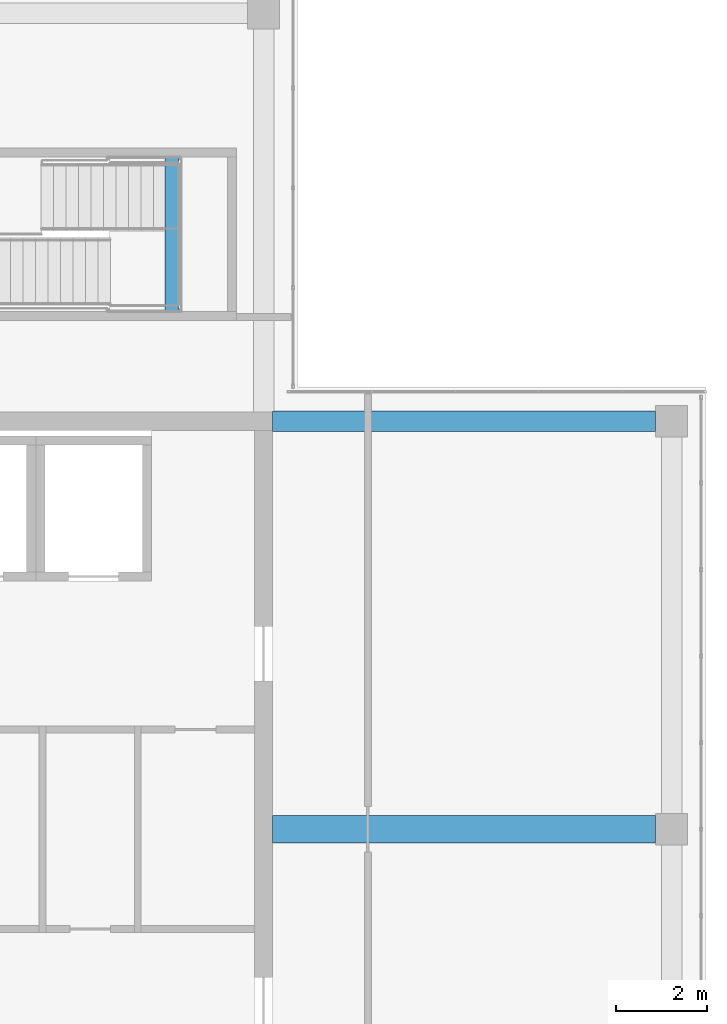
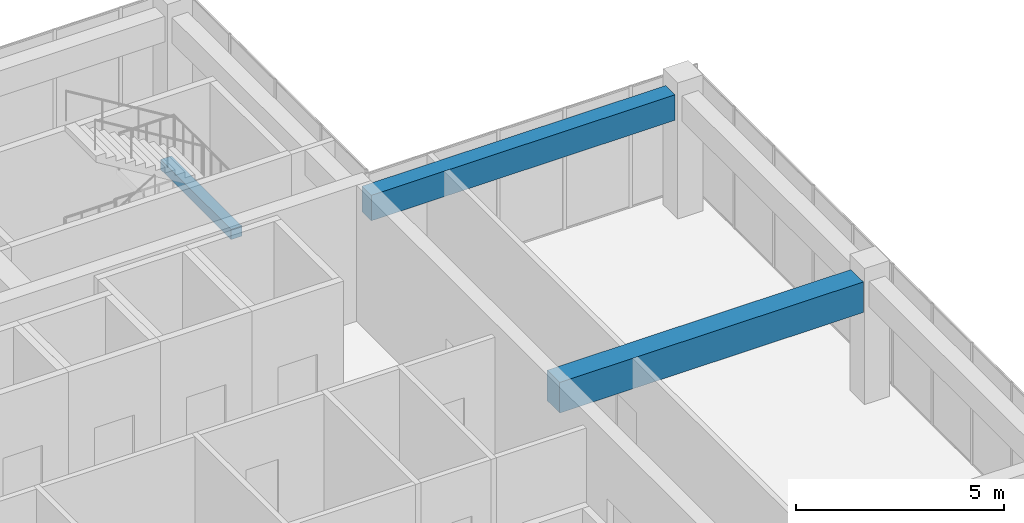
# One storey, part 15 of 32: 3 beams.
"""IFC4 building model written with IfcOpenShell, lengths in metres."""

from ifc_helpers import new_model, si_unit, direction, frame, origin, origin_2d, place, context, subcontext, project, spatial, rectangle, extrude, material, material_profile, profile_set, type_object, element, save


model = new_model("IFC4")

# Units and contexts
model_context = context("Model", 3, precision=1e-05, world=origin(), true_north=direction((0.0, 1.0)))
body_context = subcontext(model_context, "Body", "Model", "MODEL_VIEW")
ifc_project = project(units=[si_unit("LENGTHUNIT", "METRE"), si_unit("AREAUNIT", "SQUARE_METRE"), si_unit("VOLUMEUNIT", "CUBIC_METRE"), si_unit("PLANEANGLEUNIT", "RADIAN"), si_unit("MASSUNIT", "GRAM", prefix="KILO")], contexts=[model_context])

# Site, building, storey
site_placement = place(None, origin())
site = spatial("IfcSite", under=ifc_project, at=site_placement, CompositionType="ELEMENT")
building_placement = place(site_placement, origin())
building = spatial("IfcBuilding", under=site, at=building_placement, Name="Tuart Plaza Theatre", CompositionType="ELEMENT")
storey_placement = place(building_placement, frame((0.0, 0.0, 37.5)))
storey = spatial("IfcBuildingStorey", under=building, at=storey_placement, Name="L09", CompositionType="ELEMENT", Elevation=37.5)

# Beams
ifc_material_1 = material(Name="Concrete N40 (40 MPa)", Category="concrete")
ifc_material_profile_1 = material_profile(ifc_material_1, rectangle(XDim=0.300048828125, YDim=0.300048828125, at=origin_2d()), Name="BEAM 300x300 Concrete N40 (40 MPa)")
ifc_profile_set_1 = profile_set([ifc_material_profile_1], Name="Concrete N40 (40 MPa)")
beam_type_1 = type_object("IfcBeamType", Name="BEAM 300x300 Concrete N40 (40 MPa)", PredefinedType="BEAM", material=ifc_profile_set_1)
beam_1_placement = place(storey_placement, frame((138.97998046875, 85.425048828125, 1.64990234375), z_axis=(0.0, 1.0, 0.0), x_axis=(-1.0, 0.0, 0.0)))
element("IfcBeam", 1, at=beam_1_placement, inside=storey, type_object=beam_type_1, Name="RB521", PredefinedType="BEAM", context=body_context, shape_type="SweptSolid", body=[
    extrude(rectangle(XDim=0.300048828125, YDim=0.300048828125, at=origin_2d()), origin(), (0.0, 0.0, 1.0), 3.39990234375),
])
ifc_material_2 = material(Name="Concrete N40 (40 MPa)", Category="concrete")
ifc_material_profile_2 = material_profile(ifc_material_2, rectangle(XDim=0.449951171875, YDim=0.75, at=origin_2d()), Name="BEAM 450x750 Concrete N40 (40 MPa)")
ifc_profile_set_2 = profile_set([ifc_material_profile_2], Name="Concrete N40 (40 MPa)")
beam_type_2 = type_object("IfcBeamType", Name="BEAM 450x750 Concrete N40 (40 MPa)", PredefinedType="BEAM", material=ifc_profile_set_2)
beam_2_placement = place(storey_placement, frame((141.199951171875, 83.0, 3.205078125), z_axis=(1.0, 0.0, 0.0), x_axis=(0.0, 1.0, 0.0)))
element("IfcBeam", 2, at=beam_2_placement, inside=storey, type_object=beam_type_2, Name="RB276", PredefinedType="BEAM", context=body_context, shape_type="SweptSolid", body=[
    extrude(rectangle(XDim=0.449951171875, YDim=0.75, at=origin_2d()), origin(), (0.0, 0.0, 1.0), 8.449951171875),
])
ifc_material_3 = material(Name="Concrete N40 (40 MPa)", Category="concrete")
ifc_material_profile_3 = material_profile(ifc_material_3, rectangle(XDim=0.60009765625, YDim=0.89990234375, at=origin_2d()), Name="BEAM 600x900 Concrete N40 (40 MPa)")
ifc_profile_set_3 = profile_set([ifc_material_profile_3], Name="Concrete N40 (40 MPa)")
beam_type_3 = type_object("IfcBeamType", Name="BEAM 600x900 Concrete N40 (40 MPa)", PredefinedType="BEAM", material=ifc_profile_set_3)
beam_3_placement = place(storey_placement, frame((141.199951171875, 74.0, 3.1298828125), z_axis=(1.0, 0.0, 0.0), x_axis=(0.0, 1.0, 0.0)))
element("IfcBeam", 3, at=beam_3_placement, inside=storey, type_object=beam_type_3, Name="RB275", PredefinedType="BEAM", context=body_context, shape_type="SweptSolid", body=[
    extrude(rectangle(XDim=0.60009765625, YDim=0.89990234375, at=origin_2d()), origin(), (0.0, 0.0, 1.0), 8.449951171875),
])

save(model, "model.ifc")
